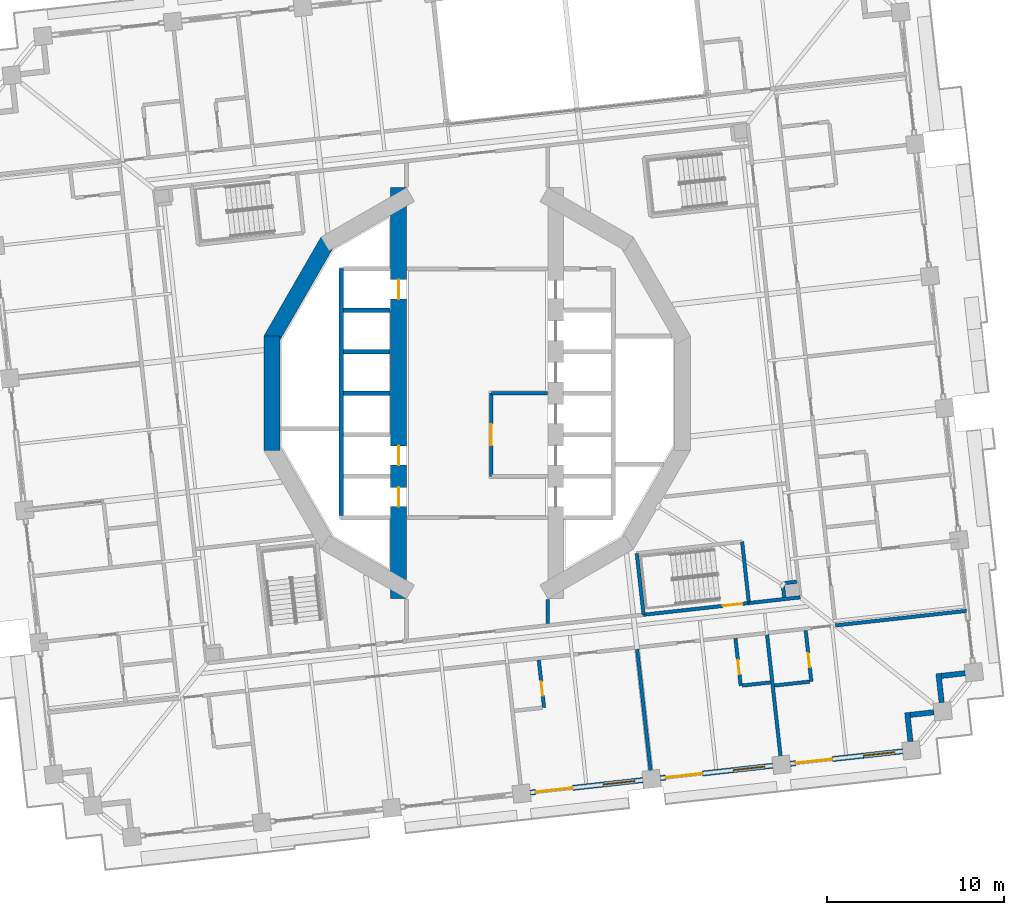
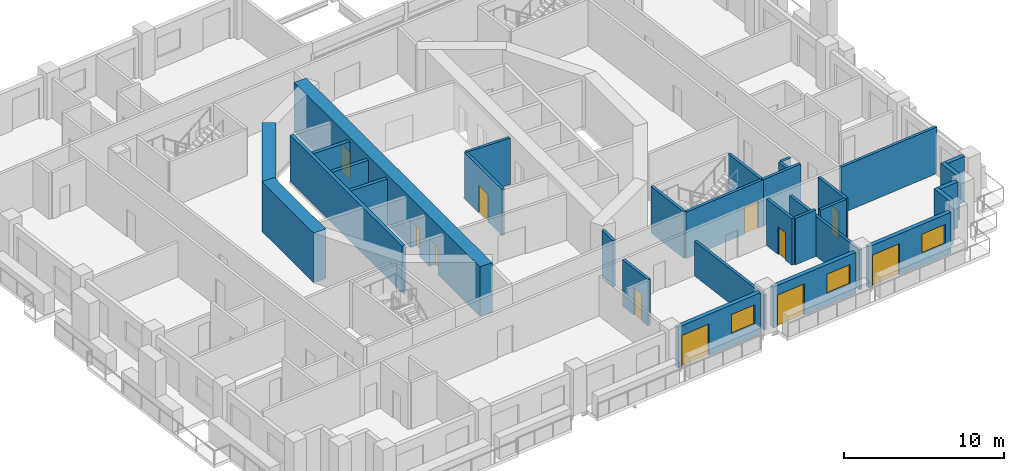
# One storey, part 9 of 20: 31 walls, 11 doors, 3 windows, 14 openings.
"""IFC4 building model written with IfcOpenShell, lengths in metres."""

from ifc_helpers import new_model, si_unit, direction, frame, frame_2d, origin, place, context, subcontext, project, spatial, rectangle, extrude, material, layer, layer_set, type_object, element, fill, save


model = new_model("IFC4")

# Units and contexts
model_context = context("Model", 3, precision=1e-05, world=origin(), true_north=direction((0.0, 1.0)))
body_context = subcontext(model_context, "Body", "Model", "MODEL_VIEW")
ifc_project = project(units=[si_unit("LENGTHUNIT", "METRE"), si_unit("AREAUNIT", "SQUARE_METRE"), si_unit("VOLUMEUNIT", "CUBIC_METRE"), si_unit("PLANEANGLEUNIT", "RADIAN"), si_unit("MASSUNIT", "GRAM", prefix="KILO")], contexts=[model_context])

# Site, building, storey
site_placement = place(None, origin())
site = spatial("IfcSite", under=ifc_project, at=site_placement, CompositionType="ELEMENT")
building_placement = place(site_placement, origin())
building = spatial("IfcBuilding", under=site, at=building_placement, Name="Cantera Rosa Tower", CompositionType="ELEMENT")
storey_placement = place(building_placement, frame((0.0, 0.0, 46.300048828125)))
storey = spatial("IfcBuildingStorey", under=building, at=storey_placement, Name="L08", CompositionType="ELEMENT", Elevation=46.300048828125)

# Walls
ifc_material_1 = material(Name="Gypsum board partition")
ifc_layer_1 = layer(ifc_material_1, 0.199951171875)
ifc_layer_set_1 = layer_set([ifc_layer_1], Name="CORRIDOR WALL 200 H3550")
wall_type_1 = type_object("IfcWallType", Name="CORRIDOR WALL 200 H3550", PredefinedType="PARTITIONING", material=ifc_layer_set_1)
wall_1_placement = place(storey_placement, frame((4.0, -13.038818359375, 0.0), z_axis=(0.0, 0.0, 1.0), x_axis=(0.0, 1.0, 0.0)))
element("IfcWall", 1, at=wall_1_placement, inside=storey, type_object=wall_type_1, Name="CORRIDOR WALL L08-063", PredefinedType="PARTITIONING", context=body_context, shape_type="SweptSolid", body=[
    extrude(rectangle(XDim=1.37158203125, YDim=0.199951171875, at=frame_2d((0.685791015625, 0.0))), origin(), (0.0, 0.0, 1.0), 3.550048828125),
])
wall_2_placement = place(storey_placement, frame((15.382080078125, -11.87548828125, 0.0), z_axis=(0.0, 0.0, 1.0), x_axis=(0.993899009794, 0.110293963256, 0.0)))
element("IfcWall", 2, at=wall_2_placement, inside=storey, type_object=wall_type_1, Name="CORRIDOR WALL L08-089", PredefinedType="PARTITIONING", context=body_context, shape_type="SweptSolid", body=[
    extrude(rectangle(XDim=2.921875, YDim=0.199951171875, at=frame_2d((1.4609375, 0.0))), origin(), (0.0, 0.0, 1.0), 3.550048828125),
])
ifc_material_2 = material(Name="Hollow clay masonry with cantera stone cladding", Category="masonry")
ifc_layer_2 = layer(ifc_material_2, 0.300048828125)
ifc_layer_set_2 = layer_set([ifc_layer_2], Name="EW-LOGGIA 300")
wall_type_2 = type_object("IfcWallType", Name="EW-LOGGIA 300", PredefinedType="SOLIDWALL", material=ifc_layer_set_2)
wall_3_placement = place(storey_placement, frame((24.5244140625, -19.71484375, 0.0), z_axis=(0.0, 0.0, 1.0), x_axis=(-0.110236638423, 0.993905369514, 0.0)))
element("IfcWall", 3, at=wall_3_placement, inside=storey, type_object=wall_type_2, Name="EN-L08-W29a", PredefinedType="SOLIDWALL", context=body_context, shape_type="SweptSolid", body=[
    extrude(rectangle(XDim=1.64990234375, YDim=0.300048828125, at=frame_2d((0.824951171875, 0.0))), origin(), (0.0, 0.0, 1.0), 3.5),
])
wall_4_placement = place(storey_placement, frame((24.508056640625, -18.20751953125, 0.0), z_axis=(0.0, 0.0, 1.0), x_axis=(0.993896959738, 0.110312435488, 0.0)))
element("IfcWall", 4, at=wall_4_placement, inside=storey, type_object=wall_type_2, Name="EN-L08-W29b", PredefinedType="SOLIDWALL", context=body_context, shape_type="SweptSolid", body=[
    extrude(rectangle(XDim=1.35009765625, YDim=0.300048828125, at=frame_2d((0.675048828125, 0.0))), origin(), (0.0, 0.0, 1.0), 3.5),
])
wall_5_placement = place(storey_placement, frame((26.291748046875, -17.506591796875, 0.0), z_axis=(0.0, 0.0, 1.0), x_axis=(-0.110382805355, 0.993889146878, 0.0)))
element("IfcWall", 5, at=wall_5_placement, inside=storey, type_object=wall_type_2, Name="EN-L08-W30a", PredefinedType="SOLIDWALL", context=body_context, shape_type="SweptSolid", body=[
    extrude(rectangle(XDim=1.64990234375, YDim=0.300048828125, at=frame_2d((0.824951171875, 0.0))), origin(), (0.0, 0.0, 1.0), 3.5),
])
wall_6_placement = place(storey_placement, frame((26.275146484375, -15.999267578125, 0.0), z_axis=(0.0, 0.0, 1.0), x_axis=(0.993896959738, 0.110312435488, 0.0)))
element("IfcWall", 6, at=wall_6_placement, inside=storey, type_object=wall_type_2, Name="EN-L08-W30b", PredefinedType="SOLIDWALL", context=body_context, shape_type="SweptSolid", body=[
    extrude(rectangle(XDim=1.35009765625, YDim=0.300048828125, at=frame_2d((0.675048828125, 0.0))), origin(), (0.0, 0.0, 1.0), 3.5),
])

# Wall, openings, window, door
ifc_material_3 = material(Name="Hollow clay masonry with cantera stone cladding", Category="masonry")
ifc_layer_3 = layer(ifc_material_3, 0.300048828125)
ifc_layer_set_3 = layer_set([ifc_layer_3], Name="EW-LOGGIA 300 H3140")
wall_type_3 = type_object("IfcWallType", Name="EW-LOGGIA 300 H3140", PredefinedType="SOLIDWALL", material=ifc_layer_set_3)
wall_7_placement = place(storey_placement, frame((3.011962890625, -22.605712890625, 0.0), z_axis=(0.0, 0.0, 1.0), x_axis=(0.993896288542, 0.110318482689, 0.0)))
wall_7 = element("IfcWall", 7, at=wall_7_placement, inside=storey, type_object=wall_type_3, Name="EN-L08-W26", PredefinedType="SOLIDWALL", context=body_context, shape_type="SweptSolid", body=[
    extrude(rectangle(XDim=6.400146484375, YDim=0.300048828125, at=frame_2d((3.2001953125, 0.0))), origin(), (0.0, 0.0, 1.0), 3.139892578125),
])
opening_1_placement = place(wall_7_placement, frame((0.300048828125, 0.0, 0.0)))
opening_1 = element("IfcOpeningElement", 8, at=opening_1_placement, cuts=wall_7, Name="Opening L08-TD35", PredefinedType="OPENING", context=body_context, shape_type="SweptSolid", body=[
    extrude(rectangle(XDim=2.10009765625, YDim=2.39990234375, at=frame_2d((1.050048828125, 1.199951171875))), frame((0.0, 0.159912109375, 0.0), z_axis=(0.0, -1.0, 0.0), x_axis=(1.0, 0.0, 0.0)), (0.0, 0.0, 1.0), 0.320068359375),
])
opening_2_placement = place(wall_7_placement, frame((4.14990234375, 0.0, 0.89990234375)))
opening_2 = element("IfcOpeningElement", 9, at=opening_2_placement, cuts=wall_7, Name="Opening L08-W36", PredefinedType="OPENING", context=body_context, shape_type="SweptSolid", body=[
    extrude(rectangle(XDim=1.800048828125, YDim=1.5, at=frame_2d((0.89990234375, 0.75))), frame((0.0, 0.159912109375, 0.0), z_axis=(0.0, -1.0, 0.0), x_axis=(1.0, 0.0, 0.0)), (0.0, 0.0, 1.0), 0.320068359375),
])
ifc_material_4 = material(Name="Aluminium frame with clear glass", Category="aluminium")
window_type = type_object("IfcWindowType", Name="Hotel room window 1800x1500", PartitioningType="DOUBLE_PANEL_VERTICAL", PredefinedType="WINDOW", material=ifc_material_4)
window_1_placement = place(opening_2_placement, origin())
window_1 = element("IfcWindow", 10, at=window_1_placement, inside=storey, type_object=window_type, Name="WINDOW L08-W36", OverallHeight=1.5, OverallWidth=1.800048828125, PartitioningType="SINGLE_PANEL", PredefinedType="WINDOW", context=body_context, shape_type="SweptSolid", body=[
    extrude(rectangle(XDim=1.800048828125, YDim=1.5, at=frame_2d((0.89990234375, 0.75))), frame((0.0, 0.030029296875, 0.0), z_axis=(0.0, -1.0, 0.0), x_axis=(1.0, 0.0, 0.0)), (0.0, 0.0, 1.0), 0.06005859375),
])
fill(opening_2, window_1)
ifc_material_5 = material(Name="Aluminium frame with clear glass", Category="aluminium")
door_type_1 = type_object("IfcDoorType", Name="TD-H 2100x2400", OperationType="NOTDEFINED", PredefinedType="DOOR", material=ifc_material_5)
door_1_placement = place(opening_1_placement, origin())
door_1 = element("IfcDoor", 11, at=door_1_placement, inside=storey, type_object=door_type_1, Name="LOGGIA DOOR L08-TD35", OperationType="SLIDING_TO_LEFT", OverallHeight=2.39990234375, OverallWidth=2.10009765625, PredefinedType="DOOR", context=body_context, shape_type="SweptSolid", body=[
    extrude(rectangle(XDim=2.10009765625, YDim=2.39990234375, at=frame_2d((1.050048828125, 1.199951171875))), frame((0.0, 0.02490234375, 0.0), z_axis=(0.0, -1.0, 0.0), x_axis=(1.0, 0.0, 0.0)), (0.0, 0.0, 1.0), 0.050048828125),
])
fill(opening_1, door_1)

wall_8_placement = place(storey_placement, frame((10.366943359375, -21.789306640625, 0.0), z_axis=(0.0, 0.0, 1.0), x_axis=(0.993900006422, 0.110284981906, 0.0)))
wall_8 = element("IfcWall", 12, at=wall_8_placement, inside=storey, type_object=wall_type_3, Name="EN-L08-W27", PredefinedType="SOLIDWALL", context=body_context, shape_type="SweptSolid", body=[
    extrude(rectangle(XDim=6.39990234375, YDim=0.300048828125, at=frame_2d((3.199951171875, 0.0))), origin(), (0.0, 0.0, 1.0), 3.139892578125),
])
opening_3_placement = place(wall_8_placement, frame((0.300048828125, 0.0, 0.0)))
opening_3 = element("IfcOpeningElement", 13, at=opening_3_placement, cuts=wall_8, Name="Opening L08-TD37", PredefinedType="OPENING", context=body_context, shape_type="SweptSolid", body=[
    extrude(rectangle(XDim=2.10009765625, YDim=2.39990234375, at=frame_2d((1.050048828125, 1.199951171875))), frame((0.0, 0.159912109375, 0.0), z_axis=(0.0, -1.0, 0.0), x_axis=(1.0, 0.0, 0.0)), (0.0, 0.0, 1.0), 0.320068359375),
])
opening_4_placement = place(wall_8_placement, frame((4.14990234375, 0.0, 0.89990234375)))
opening_4 = element("IfcOpeningElement", 14, at=opening_4_placement, cuts=wall_8, Name="Opening L08-W38", PredefinedType="OPENING", context=body_context, shape_type="SweptSolid", body=[
    extrude(rectangle(XDim=1.800048828125, YDim=1.5, at=frame_2d((0.89990234375, 0.75))), frame((0.0, 0.159912109375, 0.0), z_axis=(0.0, -1.0, 0.0), x_axis=(1.0, 0.0, 0.0)), (0.0, 0.0, 1.0), 0.320068359375),
])
window_2_placement = place(opening_4_placement, origin())
window_2 = element("IfcWindow", 15, at=window_2_placement, inside=storey, type_object=window_type, Name="WINDOW L08-W38", OverallHeight=1.5, OverallWidth=1.800048828125, PartitioningType="SINGLE_PANEL", PredefinedType="WINDOW", context=body_context, shape_type="SweptSolid", body=[
    extrude(rectangle(XDim=1.800048828125, YDim=1.5, at=frame_2d((0.89990234375, 0.75))), frame((0.0, 0.030029296875, 0.0), z_axis=(0.0, -1.0, 0.0), x_axis=(1.0, 0.0, 0.0)), (0.0, 0.0, 1.0), 0.06005859375),
])
fill(opening_4, window_2)
door_2_placement = place(opening_3_placement, origin())
door_2 = element("IfcDoor", 16, at=door_2_placement, inside=storey, type_object=door_type_1, Name="LOGGIA DOOR L08-TD37", OperationType="SLIDING_TO_LEFT", OverallHeight=2.39990234375, OverallWidth=2.10009765625, PredefinedType="DOOR", context=body_context, shape_type="SweptSolid", body=[
    extrude(rectangle(XDim=2.10009765625, YDim=2.39990234375, at=frame_2d((1.050048828125, 1.199951171875))), frame((0.0, 0.02490234375, 0.0), z_axis=(0.0, -1.0, 0.0), x_axis=(1.0, 0.0, 0.0)), (0.0, 0.0, 1.0), 0.050048828125),
])
fill(opening_3, door_2)

wall_9_placement = place(storey_placement, frame((17.7216796875, -20.97314453125, 0.0), z_axis=(0.0, 0.0, 1.0), x_axis=(0.993896288542, 0.110318482689, 0.0)))
wall_9 = element("IfcWall", 17, at=wall_9_placement, inside=storey, type_object=wall_type_3, Name="EN-L08-W28", PredefinedType="SOLIDWALL", context=body_context, shape_type="SweptSolid", body=[
    extrude(rectangle(XDim=6.400146484375, YDim=0.300048828125, at=frame_2d((3.2001953125, 0.0))), origin(), (0.0, 0.0, 1.0), 3.139892578125),
])
opening_5_placement = place(wall_9_placement, frame((0.300048828125, 0.0, 0.0)))
opening_5 = element("IfcOpeningElement", 18, at=opening_5_placement, cuts=wall_9, Name="Opening L08-TD39", PredefinedType="OPENING", context=body_context, shape_type="SweptSolid", body=[
    extrude(rectangle(XDim=2.10009765625, YDim=2.39990234375, at=frame_2d((1.050048828125, 1.199951171875))), frame((0.0, 0.159912109375, 0.0), z_axis=(0.0, -1.0, 0.0), x_axis=(1.0, 0.0, 0.0)), (0.0, 0.0, 1.0), 0.320068359375),
])
opening_6_placement = place(wall_9_placement, frame((4.14990234375, 0.0, 0.89990234375)))
opening_6 = element("IfcOpeningElement", 19, at=opening_6_placement, cuts=wall_9, Name="Opening L08-W40", PredefinedType="OPENING", context=body_context, shape_type="SweptSolid", body=[
    extrude(rectangle(XDim=1.800048828125, YDim=1.5, at=frame_2d((0.89990234375, 0.75))), frame((0.0, 0.159912109375, 0.0), z_axis=(0.0, -1.0, 0.0), x_axis=(1.0, 0.0, 0.0)), (0.0, 0.0, 1.0), 0.320068359375),
])
window_3_placement = place(opening_6_placement, origin())
window_3 = element("IfcWindow", 20, at=window_3_placement, inside=storey, type_object=window_type, Name="WINDOW L08-W40", OverallHeight=1.5, OverallWidth=1.800048828125, PartitioningType="SINGLE_PANEL", PredefinedType="WINDOW", context=body_context, shape_type="SweptSolid", body=[
    extrude(rectangle(XDim=1.800048828125, YDim=1.5, at=frame_2d((0.89990234375, 0.75))), frame((0.0, 0.030029296875, 0.0), z_axis=(0.0, -1.0, 0.0), x_axis=(1.0, 0.0, 0.0)), (0.0, 0.0, 1.0), 0.06005859375),
])
fill(opening_6, window_3)
door_3_placement = place(opening_5_placement, origin())
door_3 = element("IfcDoor", 21, at=door_3_placement, inside=storey, type_object=door_type_1, Name="LOGGIA DOOR L08-TD39", OperationType="SLIDING_TO_LEFT", OverallHeight=2.39990234375, OverallWidth=2.10009765625, PredefinedType="DOOR", context=body_context, shape_type="SweptSolid", body=[
    extrude(rectangle(XDim=2.10009765625, YDim=2.39990234375, at=frame_2d((1.050048828125, 1.199951171875))), frame((0.0, 0.02490234375, 0.0), z_axis=(0.0, -1.0, 0.0), x_axis=(1.0, 0.0, 0.0)), (0.0, 0.0, 1.0), 0.050048828125),
])
fill(opening_5, door_3)

# Wall, opening, door
ifc_material_6 = material(Name="Gypsum board partition")
ifc_layer_4 = layer(ifc_material_6, 0.199951171875)
ifc_layer_set_4 = layer_set([ifc_layer_4], Name="PARTITION 200 H3550")
wall_type_4 = type_object("IfcWallType", Name="PARTITION 200 H3550", PredefinedType="PARTITIONING", material=ifc_layer_set_4)
wall_10_placement = place(storey_placement, frame((3.48779296875, -15.107421875, 0.0), z_axis=(0.0, 0.0, 1.0), x_axis=(0.110312435488, -0.993896959738, 0.0)))
wall_10 = element("IfcWall", 22, at=wall_10_placement, inside=storey, type_object=wall_type_4, Name="PARTITION L08-059", PredefinedType="PARTITIONING", context=body_context, shape_type="SweptSolid", body=[
    extrude(rectangle(XDim=2.699951171875, YDim=0.199951171875, at=frame_2d((1.35009765625, 0.0))), origin(), (0.0, 0.0, 1.0), 3.550048828125),
])
opening_7_placement = place(wall_10_placement, frame((1.236083984375, 0.0, 0.0)))
opening_7 = element("IfcOpeningElement", 23, at=opening_7_placement, cuts=wall_10, Name="Opening L08-044", PredefinedType="OPENING", context=body_context, shape_type="SweptSolid", body=[
    extrude(rectangle(XDim=0.800048828125, YDim=2.10009765625, at=frame_2d((0.39990234375, 1.050048828125))), frame((0.0, 0.10986328125, 0.0), z_axis=(0.0, -1.0, 0.0), x_axis=(1.0, 0.0, 0.0)), (0.0, 0.0, 1.0), 0.219970703125),
])
ifc_material_7 = material(Name="Timber door leaf", Category="wood")
door_type_2 = type_object("IfcDoorType", Name="BATHROOM DOOR 800x2100", OperationType="NOTDEFINED", PredefinedType="DOOR", material=ifc_material_7)
door_4_placement = place(opening_7_placement, origin())
door_4 = element("IfcDoor", 24, at=door_4_placement, inside=storey, type_object=door_type_2, Name="DOOR L08-044", OperationType="NOTDEFINED", OverallHeight=2.10009765625, OverallWidth=0.800048828125, PredefinedType="DOOR", context=body_context, shape_type="SweptSolid", body=[
    extrude(rectangle(XDim=0.800048828125, YDim=2.10009765625, at=frame_2d((0.39990234375, 1.050048828125))), frame((0.0, 0.02490234375, 0.0), z_axis=(0.0, -1.0, 0.0), x_axis=(1.0, 0.0, 0.0)), (0.0, 0.0, 1.0), 0.050048828125),
])
fill(opening_7, door_4)

wall_11_placement = place(storey_placement, frame((14.917236328125, -16.555419921875, 0.0), z_axis=(0.0, 0.0, 1.0), x_axis=(-0.110312435488, 0.993896959738, 0.0)))
wall_11 = element("IfcWall", 25, at=wall_11_placement, inside=storey, type_object=wall_type_4, Name="PARTITION L08-085", PredefinedType="PARTITIONING", context=body_context, shape_type="SweptSolid", body=[
    extrude(rectangle(XDim=2.699951171875, YDim=0.199951171875, at=frame_2d((1.35009765625, 0.0))), origin(), (0.0, 0.0, 1.0), 3.550048828125),
])
opening_8_placement = place(wall_11_placement, frame((0.6640625, 0.0, 0.0)))
opening_8 = element("IfcOpeningElement", 26, at=opening_8_placement, cuts=wall_11, Name="Opening L08-042", PredefinedType="OPENING", context=body_context, shape_type="SweptSolid", body=[
    extrude(rectangle(XDim=0.800048828125, YDim=2.10009765625, at=frame_2d((0.39990234375, 1.050048828125))), frame((0.0, 0.10986328125, 0.0), z_axis=(0.0, -1.0, 0.0), x_axis=(1.0, 0.0, 0.0)), (0.0, 0.0, 1.0), 0.219970703125),
])
door_5_placement = place(opening_8_placement, origin())
door_5 = element("IfcDoor", 27, at=door_5_placement, inside=storey, type_object=door_type_2, Name="DOOR L08-042", OperationType="NOTDEFINED", OverallHeight=2.10009765625, OverallWidth=0.800048828125, PredefinedType="DOOR", context=body_context, shape_type="SweptSolid", body=[
    extrude(rectangle(XDim=0.800048828125, YDim=2.10009765625, at=frame_2d((0.39990234375, 1.050048828125))), frame((0.0, 0.02490234375, 0.0), z_axis=(0.0, -1.0, 0.0), x_axis=(1.0, 0.0, 0.0)), (0.0, 0.0, 1.0), 0.050048828125),
])
fill(opening_8, door_5)

# Walls
wall_12_placement = place(storey_placement, frame((16.60693359375, -16.367919921875, 0.0), z_axis=(0.0, 0.0, 1.0), x_axis=(-0.99389675276, -0.110314300314, 0.0)))
element("IfcWall", 28, at=wall_12_placement, inside=storey, type_object=wall_type_4, Name="PARTITION L08-094", PredefinedType="PARTITIONING", context=body_context, shape_type="SweptSolid", body=[
    extrude(rectangle(XDim=1.60009765625, YDim=0.199951171875, at=frame_2d((0.800048828125, 0.0))), origin(), (0.0, 0.0, 1.0), 3.550048828125),
])
wall_13_placement = place(storey_placement, frame((17.292236328125, -10.758056640625, 0.0), z_axis=(0.0, 0.0, 1.0), x_axis=(0.110465018303, -0.993880012744, 0.0)))
element("IfcWall", 29, at=wall_13_placement, inside=storey, type_object=wall_type_4, Name="PARTITION L08-100", PredefinedType="PARTITIONING", context=body_context, shape_type="SweptSolid", body=[
    extrude(rectangle(XDim=0.800048828125, YDim=0.199951171875, at=frame_2d((0.39990234375, 0.0))), origin(), (0.0, 0.0, 1.0), 3.550048828125),
])
wall_14_placement = place(storey_placement, frame((18.08740234375, -10.669921875, 0.0), z_axis=(0.0, 0.0, 1.0), x_axis=(-0.993909225707, -0.110201865026, 0.0)))
element("IfcWall", 30, at=wall_14_placement, inside=storey, type_object=wall_type_4, Name="PARTITION L08-103", PredefinedType="PARTITIONING", context=body_context, shape_type="SweptSolid", body=[
    extrude(rectangle(XDim=0.699951171875, YDim=0.199951171875, at=frame_2d((0.35009765625, 0.0))), origin(), (0.0, 0.0, 1.0), 3.550048828125),
])

# Wall, opening, door
wall_15_placement = place(storey_placement, frame((18.59521484375, -13.4306640625, 0.0), z_axis=(0.0, 0.0, 1.0), x_axis=(0.110283685989, -0.993900150219, 0.0)))
wall_15 = element("IfcWall", 31, at=wall_15_placement, inside=storey, type_object=wall_type_4, Name="PARTITION L08-105", PredefinedType="PARTITIONING", context=body_context, shape_type="SweptSolid", body=[
    extrude(rectangle(XDim=2.89990234375, YDim=0.199951171875, at=frame_2d((1.449951171875, 0.0))), origin(), (0.0, 0.0, 1.0), 3.550048828125),
])
opening_9_placement = place(wall_15_placement, frame((1.300048828125, 0.0, 0.0)))
opening_9 = element("IfcOpeningElement", 32, at=opening_9_placement, cuts=wall_15, Name="Opening L08-048", PredefinedType="OPENING", context=body_context, shape_type="SweptSolid", body=[
    extrude(rectangle(XDim=0.800048828125, YDim=2.10009765625, at=frame_2d((0.39990234375, 1.050048828125))), frame((0.0, 0.10986328125, 0.0), z_axis=(0.0, -1.0, 0.0), x_axis=(1.0, 0.0, 0.0)), (0.0, 0.0, 1.0), 0.219970703125),
])
door_6_placement = place(opening_9_placement, origin())
door_6 = element("IfcDoor", 33, at=door_6_placement, inside=storey, type_object=door_type_2, Name="DOOR L08-048", OperationType="NOTDEFINED", OverallHeight=2.10009765625, OverallWidth=0.800048828125, PredefinedType="DOOR", context=body_context, shape_type="SweptSolid", body=[
    extrude(rectangle(XDim=0.800048828125, YDim=2.10009765625, at=frame_2d((0.39990234375, 1.050048828125))), frame((0.0, 0.02490234375, 0.0), z_axis=(0.0, -1.0, 0.0), x_axis=(1.0, 0.0, 0.0)), (0.0, 0.0, 1.0), 0.050048828125),
])
fill(opening_9, door_6)

# Walls
wall_16_placement = place(storey_placement, frame((18.815673828125, -16.323974609375, 0.0), z_axis=(0.0, 0.0, 1.0), x_axis=(-0.993892663362, -0.110351138256, 0.0)))
element("IfcWall", 34, at=wall_16_placement, inside=storey, type_object=wall_type_4, Name="PARTITION L08-107", PredefinedType="PARTITIONING", context=body_context, shape_type="SweptSolid", body=[
    extrude(rectangle(XDim=2.0, YDim=0.199951171875, at=frame_2d((1.0, 0.0))), origin(), (0.0, 0.0, 1.0), 3.550048828125),
])
ifc_material_8 = material(Name="Gypsum board partition")
ifc_layer_5 = layer(ifc_material_8, 0.199951171875)
ifc_layer_set_5 = layer_set([ifc_layer_5], Name="PARTY WALL 200 H2650")
wall_type_5 = type_object("IfcWallType", Name="PARTY WALL 200 H2650", PredefinedType="PARTITIONING", material=ifc_layer_set_5)
wall_17_placement = place(storey_placement, frame((9.0537109375, -14.48974609375, 0.0), z_axis=(0.0, 0.0, 1.0), x_axis=(0.11031154238, -0.993897058864, 0.0)))
element("IfcWall", 35, at=wall_17_placement, inside=storey, type_object=wall_type_5, Name="PARTY WALL L08-076", PredefinedType="PARTITIONING", context=body_context, shape_type="SweptSolid", body=[
    extrude(rectangle(XDim=7.369873046875, YDim=0.199951171875, at=frame_2d((3.68505859375, 0.0))), origin(), (0.0, 0.0, 1.0), 2.64990234375),
])
ifc_material_9 = material(Name="Gypsum board partition")
ifc_layer_6 = layer(ifc_material_9, 0.199951171875)
ifc_layer_set_6 = layer_set([ifc_layer_6], Name="PARTY WALL 200 H3050")
wall_type_6 = type_object("IfcWallType", Name="PARTY WALL 200 H3050", PredefinedType="PARTITIONING", material=ifc_layer_set_6)
wall_18_placement = place(storey_placement, frame((16.408447265625, -13.67333984375, 0.0), z_axis=(0.0, 0.0, 1.0), x_axis=(0.11031154238, -0.993897058864, 0.0)))
element("IfcWall", 36, at=wall_18_placement, inside=storey, type_object=wall_type_6, Name="PARTY WALL L08-093", PredefinedType="PARTITIONING", context=body_context, shape_type="SweptSolid", body=[
    extrude(rectangle(XDim=7.369873046875, YDim=0.199951171875, at=frame_2d((3.68505859375, 0.0))), origin(), (0.0, 0.0, 1.0), 3.050048828125),
])
ifc_material_10 = material(Name="Gypsum board partition")
ifc_layer_7 = layer(ifc_material_10, 0.199951171875)
ifc_layer_set_7 = layer_set([ifc_layer_7], Name="PARTY WALL 200 H3550")
wall_type_7 = type_object("IfcWallType", Name="PARTY WALL 200 H3550", PredefinedType="PARTITIONING", material=ifc_layer_set_7)
wall_19_placement = place(storey_placement, frame((27.697998046875, -12.319580078125, 0.0), z_axis=(0.0, 0.0, 1.0), x_axis=(-0.993894093242, -0.110338259085, 0.0)))
element("IfcWall", 37, at=wall_19_placement, inside=storey, type_object=wall_type_7, Name="PARTY WALL L08-117", PredefinedType="PARTITIONING", context=body_context, shape_type="SweptSolid", body=[
    extrude(rectangle(XDim=7.469970703125, YDim=0.199951171875, at=frame_2d((3.73486328125, 0.0))), origin(), (0.0, 0.0, 1.0), 3.550048828125),
])
ifc_material_11 = material(Name="Concrete C70/85", Category="concrete")
ifc_layer_8 = layer(ifc_material_11, 0.89990234375)
ifc_layer_set_8 = layer_set([ifc_layer_8], Name="RC CORE WALL 900 C70/85")
wall_type_8 = type_object("IfcWallType", Name="RC CORE WALL 900 C70/85", PredefinedType="SHEAR", material=ifc_layer_set_8)
wall_20_placement = place(storey_placement, frame((-11.6240234375, -3.2353515625, 0.0), z_axis=(0.0, 0.0, 1.0), x_axis=(0.0, 1.0, 0.0)))
element("IfcWall", 38, at=wall_20_placement, inside=storey, type_object=wall_type_8, Name="CW-W3 L08", PredefinedType="SHEAR", context=body_context, shape_type="SweptSolid", body=[
    extrude(rectangle(XDim=6.470703125, YDim=0.89990234375, at=frame_2d((3.2353515625, 0.0))), origin(), (0.0, 0.0, 1.0), 3.800048828125),
])
wall_21_placement = place(storey_placement, frame((-11.684326171875, 3.01025390625, 0.0), z_axis=(0.0, 0.0, 1.0), x_axis=(0.499990282633, 0.866031014036, 0.0)))
element("IfcWall", 39, at=wall_21_placement, inside=storey, type_object=wall_type_8, Name="CW-W4 L08", PredefinedType="SHEAR", context=body_context, shape_type="SweptSolid", body=[
    extrude(rectangle(XDim=6.470458984375, YDim=0.89990234375, at=frame_2d((3.2353515625, 0.0))), origin(), (0.0, 0.0, 1.0), 3.800048828125),
])

# Wall, openings, doors
wall_22_placement = place(storey_placement, frame((-4.449951171875, 11.632568359375, 0.0), z_axis=(0.0, 0.0, 1.0), x_axis=(0.0, -1.0, 0.0)))
wall_22 = element("IfcWall", 40, at=wall_22_placement, inside=storey, type_object=wall_type_8, Name="CW-W6 L08", PredefinedType="SHEAR", context=body_context, shape_type="SweptSolid", body=[
    extrude(rectangle(XDim=23.26513671875, YDim=0.89990234375, at=frame_2d((11.632568359375, 0.0))), origin(), (0.0, 0.0, 1.0), 3.800048828125),
])
opening_10_placement = place(wall_22_placement, frame((14.607421875, 0.0, 0.0)))
opening_10 = element("IfcOpeningElement", 41, at=opening_10_placement, cuts=wall_22, Name="Opening LD-P3-L08", PredefinedType="OPENING", context=body_context, shape_type="SweptSolid", body=[
    extrude(rectangle(XDim=1.10009765625, YDim=2.10009765625, at=frame_2d((0.550048828125, 1.050048828125))), frame((0.0, 0.4599609375, 0.0), z_axis=(0.0, -1.0, 0.0), x_axis=(1.0, 0.0, 0.0)), (0.0, 0.0, 1.0), 0.919921875),
])
opening_11_placement = place(wall_22_placement, frame((16.95751953125, 0.0, 0.0)))
opening_11 = element("IfcOpeningElement", 42, at=opening_11_placement, cuts=wall_22, Name="Opening LD-P4-L08", PredefinedType="OPENING", context=body_context, shape_type="SweptSolid", body=[
    extrude(rectangle(XDim=1.10009765625, YDim=2.10009765625, at=frame_2d((0.550048828125, 1.050048828125))), frame((0.0, 0.4599609375, 0.0), z_axis=(0.0, -1.0, 0.0), x_axis=(1.0, 0.0, 0.0)), (0.0, 0.0, 1.0), 0.919921875),
])
opening_12_placement = place(wall_22_placement, frame((5.20751953125, 0.0, 0.0)))
opening_12 = element("IfcOpeningElement", 43, at=opening_12_placement, cuts=wall_22, Name="Opening LD-P5-L08", PredefinedType="OPENING", context=body_context, shape_type="SweptSolid", body=[
    extrude(rectangle(XDim=1.10009765625, YDim=2.10009765625, at=frame_2d((0.550048828125, 1.050048828125))), frame((0.0, 0.4599609375, 0.0), z_axis=(0.0, -1.0, 0.0), x_axis=(1.0, 0.0, 0.0)), (0.0, 0.0, 1.0), 0.919921875),
])
ifc_material_12 = material(Name="Steel S355J2 (EN 10025-2)", Category="steel")
door_type_3 = type_object("IfcDoorType", Name="LANDING DOOR 1100x2100", OperationType="NOTDEFINED", PredefinedType="DOOR", material=ifc_material_12)
door_7_placement = place(opening_10_placement, origin())
door_7 = element("IfcDoor", 44, at=door_7_placement, inside=storey, type_object=door_type_3, Name="LANDING DOOR P3 L08", OperationType="SLIDING_TO_LEFT", OverallHeight=2.10009765625, OverallWidth=1.10009765625, PredefinedType="DOOR", context=body_context, shape_type="SweptSolid", body=[
    extrude(rectangle(XDim=1.10009765625, YDim=2.10009765625, at=frame_2d((0.550048828125, 1.050048828125))), frame((0.0, 0.02490234375, 0.0), z_axis=(0.0, -1.0, 0.0), x_axis=(1.0, 0.0, 0.0)), (0.0, 0.0, 1.0), 0.050048828125),
])
fill(opening_10, door_7)
door_8_placement = place(opening_11_placement, origin())
door_8 = element("IfcDoor", 45, at=door_8_placement, inside=storey, type_object=door_type_3, Name="LANDING DOOR P4 L08", OperationType="SLIDING_TO_LEFT", OverallHeight=2.10009765625, OverallWidth=1.10009765625, PredefinedType="DOOR", context=body_context, shape_type="SweptSolid", body=[
    extrude(rectangle(XDim=1.10009765625, YDim=2.10009765625, at=frame_2d((0.550048828125, 1.050048828125))), frame((0.0, 0.02490234375, 0.0), z_axis=(0.0, -1.0, 0.0), x_axis=(1.0, 0.0, 0.0)), (0.0, 0.0, 1.0), 0.050048828125),
])
fill(opening_11, door_8)
door_9_placement = place(opening_12_placement, origin())
door_9 = element("IfcDoor", 46, at=door_9_placement, inside=storey, type_object=door_type_3, Name="LANDING DOOR P5 L08", OperationType="SLIDING_TO_LEFT", OverallHeight=2.10009765625, OverallWidth=1.10009765625, PredefinedType="DOOR", context=body_context, shape_type="SweptSolid", body=[
    extrude(rectangle(XDim=1.10009765625, YDim=2.10009765625, at=frame_2d((0.550048828125, 1.050048828125))), frame((0.0, 0.02490234375, 0.0), z_axis=(0.0, -1.0, 0.0), x_axis=(1.0, 0.0, 0.0)), (0.0, 0.0, 1.0), 0.050048828125),
])
fill(opening_12, door_9)

# Walls
ifc_material_13 = material(Name="Masonry blockwork", Category="masonry")
ifc_layer_9 = layer(ifc_material_13, 0.25)
ifc_layer_set_9 = layer_set([ifc_layer_9], Name="SHAFT WALL 250 H3550")
wall_type_9 = type_object("IfcWallType", Name="SHAFT WALL 250 H3550", PredefinedType="SOLIDWALL", material=ifc_layer_set_9)
for number, where, z_axis, x_axis, name in (
    (47, (-7.574951171875, 0.0, 0.0), (0.0, 0.0, 1.0), (1.0, 0.0, 0.0), "SHAFT WALL L08-046"),
    (48, (-7.574951171875, 2.35009765625, 0.0), (0.0, 0.0, 1.0), (1.0, 0.0, 0.0), "SHAFT WALL L08-047"),
    (49, (-7.574951171875, 4.699951171875, 0.0), (0.0, 0.0, 1.0), (1.0, 0.0, 0.0), "SHAFT WALL L08-048"),
):
    element("IfcWall", number, at=place(storey_placement, frame(where, z_axis=z_axis, x_axis=x_axis)), inside=storey, type_object=wall_type_9, Name=name, PredefinedType="SOLIDWALL", context=body_context, shape_type="SweptSolid", body=[
        extrude(rectangle(XDim=2.64501953125, YDim=0.25, at=frame_2d((1.322509765625, 0.0))), origin(), (0.0, 0.0, 1.0), 3.550048828125),
    ])
wall_23_placement = place(storey_placement, frame((-7.699951171875, 7.050048828125, 0.0), z_axis=(0.0, 0.0, 1.0), x_axis=(0.0, -1.0, 0.0)))
element("IfcWall", 50, at=wall_23_placement, inside=storey, type_object=wall_type_9, Name="SHAFT WALL L08-049", PredefinedType="SOLIDWALL", context=body_context, shape_type="SweptSolid", body=[
    extrude(rectangle(XDim=13.97998046875, YDim=0.25, at=frame_2d((6.989990234375, 0.0))), origin(), (0.0, 0.0, 1.0), 3.550048828125),
])

# Wall, opening, door
ifc_material_14 = material(Name="Concrete C50/60", Category="concrete")
ifc_layer_10 = layer(ifc_material_14, 0.199951171875)
ifc_layer_set_10 = layer_set([ifc_layer_10], Name="STAIR WALL 200 H3550")
wall_type_10 = type_object("IfcWallType", Name="STAIR WALL 200 H3550", PredefinedType="SOLIDWALL", material=ifc_layer_set_10)
wall_24_placement = place(storey_placement, frame((0.800048828125, -4.699951171875, 0.0), z_axis=(0.0, 0.0, 1.0), x_axis=(0.0, 1.0, 0.0)))
wall_24 = element("IfcWall", 51, at=wall_24_placement, inside=storey, type_object=wall_type_10, Name="STAIR WALL L08-056", PredefinedType="SOLIDWALL", context=body_context, shape_type="SweptSolid", body=[
    extrude(rectangle(XDim=4.699951171875, YDim=0.199951171875, at=frame_2d((2.35009765625, 0.0))), origin(), (0.0, 0.0, 1.0), 3.550048828125),
])
opening_13_placement = place(wall_24_placement, frame((1.75, 0.0, 0.0)))
opening_13 = element("IfcOpeningElement", 52, at=opening_13_placement, cuts=wall_24, Name="Opening L08-014", PredefinedType="OPENING", context=body_context, shape_type="SweptSolid", body=[
    extrude(rectangle(XDim=1.199951171875, YDim=2.10009765625, at=frame_2d((0.60009765625, 1.050048828125))), frame((0.0, 0.10986328125, 0.0), z_axis=(0.0, -1.0, 0.0), x_axis=(1.0, 0.0, 0.0)), (0.0, 0.0, 1.0), 0.219970703125),
])
ifc_material_15 = material(Name="Steel S355J2 (EN 10025-2)", Category="steel")
door_type_4 = type_object("IfcDoorType", Name="FIRE DOOR 1200x2100", OperationType="NOTDEFINED", PredefinedType="DOOR", material=ifc_material_15)
door_10_placement = place(opening_13_placement, origin())
door_10 = element("IfcDoor", 53, at=door_10_placement, inside=storey, type_object=door_type_4, Name="DOOR L08-014", OperationType="NOTDEFINED", OverallHeight=2.10009765625, OverallWidth=1.199951171875, PredefinedType="DOOR", context=body_context, shape_type="SweptSolid", body=[
    extrude(rectangle(XDim=1.199951171875, YDim=2.10009765625, at=frame_2d((0.60009765625, 1.050048828125))), frame((0.0, 0.02490234375, 0.0), z_axis=(0.0, -1.0, 0.0), x_axis=(1.0, 0.0, 0.0)), (0.0, 0.0, 1.0), 0.050048828125),
])
fill(opening_13, door_10)

# Walls
wall_25_placement = place(storey_placement, frame((0.800048828125, 0.0, 0.0), z_axis=(0.0, 0.0, 1.0), x_axis=(1.0, 0.0, 0.0)))
element("IfcWall", 54, at=wall_25_placement, inside=storey, type_object=wall_type_10, Name="STAIR WALL L08-057", PredefinedType="SOLIDWALL", context=body_context, shape_type="SweptSolid", body=[
    extrude(rectangle(XDim=3.169921875, YDim=0.199951171875, at=frame_2d((1.5849609375, 0.0))), origin(), (0.0, 0.0, 1.0), 3.550048828125),
])
wall_26_placement = place(storey_placement, frame((9.033447265625, -9.066162109375, 0.0), z_axis=(0.0, 0.0, 1.0), x_axis=(0.11030110325, -0.993898217436, 0.0)))
element("IfcWall", 55, at=wall_26_placement, inside=storey, type_object=wall_type_10, Name="STAIR WALL L08-075", PredefinedType="SOLIDWALL", context=body_context, shape_type="SweptSolid", body=[
    extrude(rectangle(XDim=3.49267578125, YDim=0.199951171875, at=frame_2d((1.746337890625, 0.0))), origin(), (0.0, 0.0, 1.0), 3.550048828125),
])

# Wall, opening, door
wall_27_placement = place(storey_placement, frame((9.418701171875, -12.53759765625, 0.0), z_axis=(0.0, 0.0, 1.0), x_axis=(0.993892663362, 0.110351138256, 0.0)))
wall_27 = element("IfcWall", 56, at=wall_27_placement, inside=storey, type_object=wall_type_10, Name="STAIR WALL L08-077", PredefinedType="SOLIDWALL", context=body_context, shape_type="SweptSolid", body=[
    extrude(rectangle(XDim=6.0, YDim=0.199951171875, at=frame_2d((3.0, 0.0))), origin(), (0.0, 0.0, 1.0), 3.550048828125),
])
opening_14_placement = place(wall_27_placement, frame((4.52490234375, 0.0, 0.0)))
opening_14 = element("IfcOpeningElement", 57, at=opening_14_placement, cuts=wall_27, Name="Opening L08-004", PredefinedType="OPENING", context=body_context, shape_type="SweptSolid", body=[
    extrude(rectangle(XDim=1.10009765625, YDim=2.10009765625, at=frame_2d((0.550048828125, 1.050048828125))), frame((0.0, 0.10986328125, 0.0), z_axis=(0.0, -1.0, 0.0), x_axis=(1.0, 0.0, 0.0)), (0.0, 0.0, 1.0), 0.219970703125),
])
ifc_material_16 = material(Name="Steel S355J2 (EN 10025-2)", Category="steel")
door_type_5 = type_object("IfcDoorType", Name="STAIR DOOR 1100x2100", OperationType="NOTDEFINED", PredefinedType="DOOR", material=ifc_material_16)
door_11_placement = place(opening_14_placement, origin())
door_11 = element("IfcDoor", 58, at=door_11_placement, inside=storey, type_object=door_type_5, Name="DOOR L08-004", OperationType="NOTDEFINED", OverallHeight=2.10009765625, OverallWidth=1.10009765625, PredefinedType="DOOR", context=body_context, shape_type="SweptSolid", body=[
    extrude(rectangle(XDim=1.10009765625, YDim=2.10009765625, at=frame_2d((0.550048828125, 1.050048828125))), frame((0.0, 0.02490234375, 0.0), z_axis=(0.0, -1.0, 0.0), x_axis=(1.0, 0.0, 0.0)), (0.0, 0.0, 1.0), 0.050048828125),
])
fill(opening_14, door_11)

# Wall
wall_28_placement = place(storey_placement, frame((15.382080078125, -11.87548828125, 0.0), z_axis=(0.0, 0.0, 1.0), x_axis=(-0.110308766705, 0.993897366929, 0.0)))
element("IfcWall", 59, at=wall_28_placement, inside=storey, type_object=wall_type_10, Name="STAIR WALL L08-088", PredefinedType="SOLIDWALL", context=body_context, shape_type="SweptSolid", body=[
    extrude(rectangle(XDim=3.492431640625, YDim=0.199951171875, at=frame_2d((1.74609375, 0.0))), origin(), (0.0, 0.0, 1.0), 3.550048828125),
])

save(model, "model.ifc")
